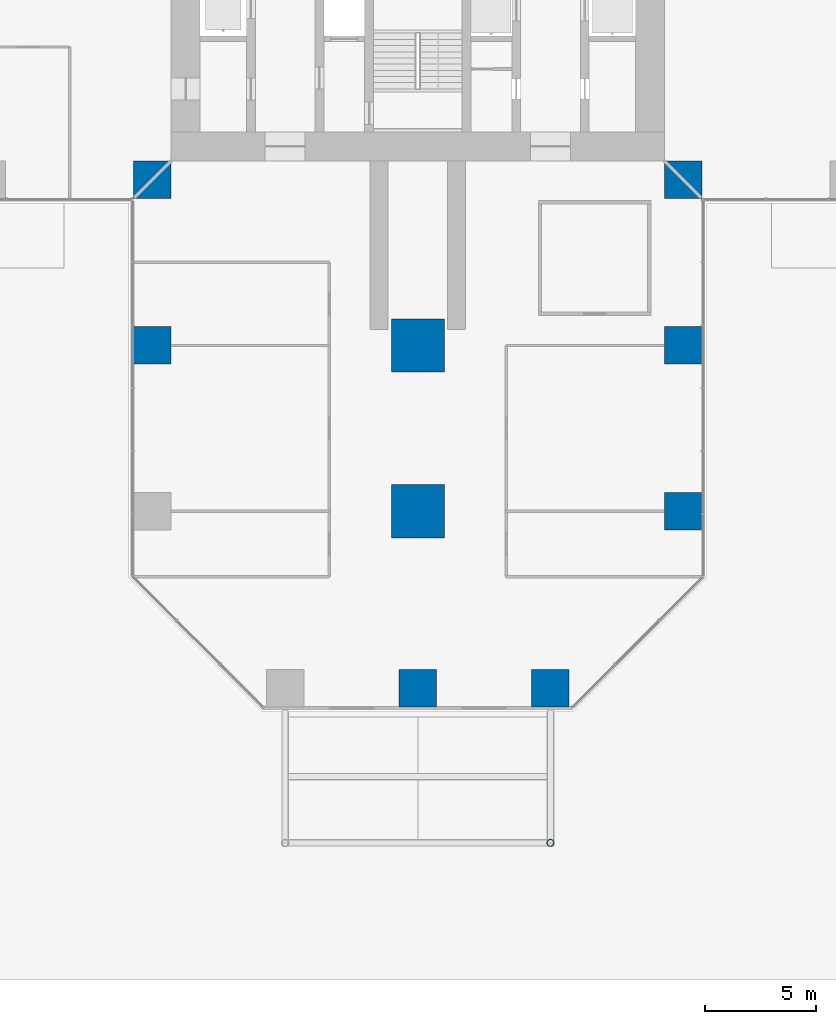
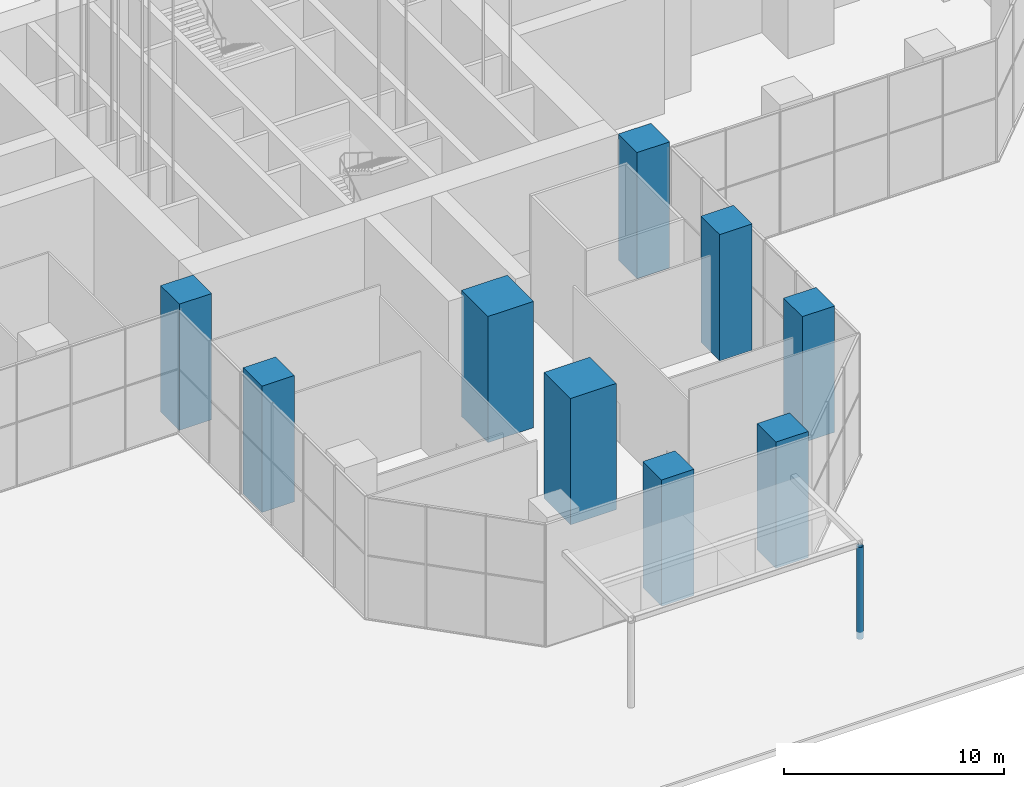
# One storey, part 2 of 43: 10 columns.
"""IFC4 building model written with IfcOpenShell, lengths in metres."""

from ifc_helpers import new_model, si_unit, direction, frame, origin, origin_2d, place, context, subcontext, project, spatial, rectangle, hollow_circle, extrude, material, material_profile, profile_set, type_object, element, save


model = new_model("IFC4")

# Units and contexts
model_context = context("Model", 3, precision=1e-05, world=origin(), true_north=direction((0.0, 1.0)))
body_context = subcontext(model_context, "Body", "Model", "MODEL_VIEW")
ifc_project = project(units=[si_unit("LENGTHUNIT", "METRE"), si_unit("AREAUNIT", "SQUARE_METRE"), si_unit("VOLUMEUNIT", "CUBIC_METRE"), si_unit("PLANEANGLEUNIT", "RADIAN"), si_unit("MASSUNIT", "GRAM", prefix="KILO")], contexts=[model_context])

# Site, building, storey
site_placement = place(None, origin())
site = spatial("IfcSite", under=ifc_project, at=site_placement, CompositionType="ELEMENT")
building_placement = place(site_placement, origin())
building = spatial("IfcBuilding", under=site, at=building_placement, Name="Mizan Broadcast Tower", CompositionType="ELEMENT")
storey_placement = place(building_placement, origin())
storey = spatial("IfcBuildingStorey", under=building, at=storey_placement, Name="L00", CompositionType="ELEMENT", Elevation=0.0)

# Columns
ifc_material_1 = material(Name="Steel S355", Category="steel")
ifc_material_profile_1 = material_profile(ifc_material_1, hollow_circle(Radius=0.161865234375, WallThickness=0.01611328125, at=origin_2d()), Name="CHS 323.9x16")
ifc_profile_set_1 = profile_set([ifc_material_profile_1], Name="Steel S355")
column_type_1 = type_object("IfcColumnType", Name="CANOPY POST CHS 323.9x16", PredefinedType="COLUMN", material=ifc_profile_set_1)
column_placement = place(storey_placement, frame((6.0, -42.0, -0.39990234375), z_axis=(0.0, 0.0, 1.0), x_axis=(1.0, 0.0, 0.0)))
element("IfcColumn", 1, at=column_placement, inside=storey, type_object=column_type_1, Name="Canopy post 2", PredefinedType="COLUMN", context=body_context, shape_type="SweptSolid", body=[
    extrude(hollow_circle(Radius=0.161865234375, WallThickness=0.01611328125, at=origin_2d()), origin(), (0.0, 0.0, 1.0), 5.099853515625),
])
ifc_material_2 = material(Name="Concrete C70/85", Category="concrete")
ifc_material_profile_2 = material_profile(ifc_material_2, rectangle(XDim=1.699951171875, YDim=1.699951171875, at=origin_2d()), Name="RC 1700x1700")
ifc_profile_set_2 = profile_set([ifc_material_profile_2], Name="Concrete C70/85")
column_type_2 = type_object("IfcColumnType", Name="RC COLUMN 1700x1700 C70/85", PredefinedType="COLUMN", material=ifc_profile_set_2)
for number, where, z_axis, x_axis, name in (
    (2, (0.0, -35.0, 0.0), (0.0, 0.0, 1.0), (1.0, 0.0, 0.0), "Column 6/A L00"),
    (3, (6.0, -35.0, 0.0), (0.0, 0.0, 1.0), (1.0, 0.0, 0.0), "Column 7/A L00"),
    (4, (12.0, -27.0, 0.0), (0.0, 0.0, 1.0), (1.0, 0.0, 0.0), "Column 8/B L00"),
    (5, (-12.0, -19.5, 0.0), (0.0, 0.0, 1.0), (1.0, 0.0, 0.0), "Column 4/C L00"),
    (6, (12.0, -19.5, 0.0), (0.0, 0.0, 1.0), (1.0, 0.0, 0.0), "Column 8/C L00"),
    (7, (-12.0, -12.0, 0.0), (0.0, 0.0, 1.0), (1.0, 0.0, 0.0), "Column 4/D L00"),
    (8, (12.0, -12.0, 0.0), (0.0, 0.0, 1.0), (1.0, 0.0, 0.0), "Column 8/D L00"),
):
    element("IfcColumn", number, at=place(storey_placement, frame(where, z_axis=z_axis, x_axis=x_axis)), inside=storey, type_object=column_type_2, Name=name, PredefinedType="COLUMN", context=body_context, shape_type="SweptSolid", body=[
        extrude(rectangle(XDim=1.699951171875, YDim=1.699951171875, at=origin_2d()), origin(), (0.0, 0.0, 1.0), 7.0),
    ])
ifc_material_3 = material(Name="Concrete C70/85", Category="concrete")
ifc_material_profile_3 = material_profile(ifc_material_3, rectangle(XDim=2.39990234375, YDim=2.39990234375, at=origin_2d()), Name="RC 2400x2400")
ifc_profile_set_3 = profile_set([ifc_material_profile_3], Name="Concrete C70/85")
column_type_3 = type_object("IfcColumnType", Name="RC COLUMN 2400x2400 C70/85", PredefinedType="COLUMN", material=ifc_profile_set_3)
for number, where, z_axis, x_axis, name in (
    (9, (0.0, -27.0, 0.0), (0.0, 0.0, 1.0), (1.0, 0.0, 0.0), "Column 6/B L00"),
    (10, (0.0, -19.5, 0.0), (0.0, 0.0, 1.0), (1.0, 0.0, 0.0), "Column 6/C L00"),
):
    element("IfcColumn", number, at=place(storey_placement, frame(where, z_axis=z_axis, x_axis=x_axis)), inside=storey, type_object=column_type_3, Name=name, PredefinedType="COLUMN", context=body_context, shape_type="SweptSolid", body=[
        extrude(rectangle(XDim=2.39990234375, YDim=2.39990234375, at=origin_2d()), origin(), (0.0, 0.0, 1.0), 7.0),
    ])

save(model, "model.ifc")
